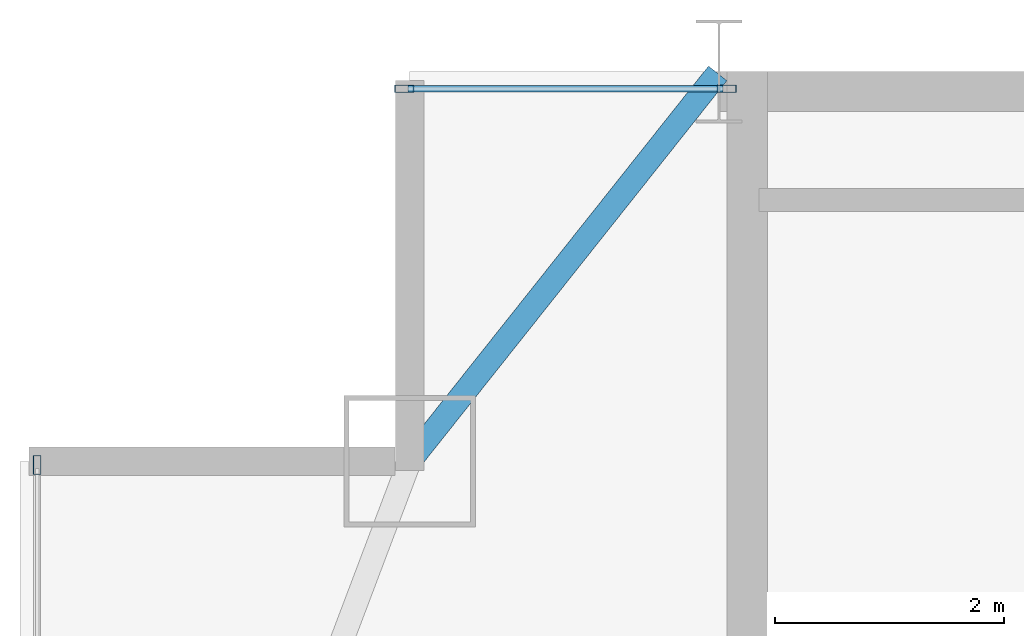
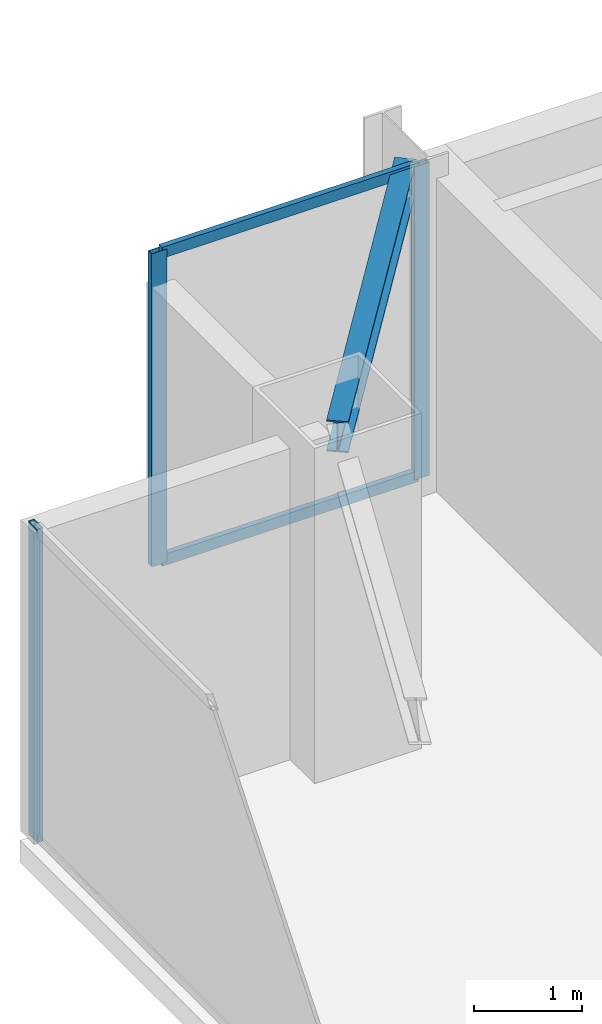
# One storey, part 17 of 26: 5 members, 1 beam, 2 elements without a shape of their own.
"""IFC4 building model written with IfcOpenShell, lengths in metres."""

from ifc_helpers import new_model, si_unit, direction, frame, origin, origin_2d, place, context, subcontext, project, spatial, hollow_rectangle, i_section, extrude, source, transform, mapped, material, layer, layer_set, material_profile, profile_set, type_object, type_shapes, element, aggregate, save


model = new_model("IFC4")

# Units and contexts
model_context = context("Model", 3, precision=1e-05, world=origin(), true_north=direction((0.0, 1.0)))
body_context = subcontext(model_context, "Body", "Model", "MODEL_VIEW")
ifc_project = project(units=[si_unit("LENGTHUNIT", "METRE"), si_unit("AREAUNIT", "SQUARE_METRE"), si_unit("VOLUMEUNIT", "CUBIC_METRE"), si_unit("PLANEANGLEUNIT", "RADIAN"), si_unit("MASSUNIT", "GRAM", prefix="KILO")], contexts=[model_context])

# Site, building, storey
site_placement = place(None, origin())
site = spatial("IfcSite", under=ifc_project, at=site_placement, CompositionType="ELEMENT")
building_placement = place(site_placement, origin())
building = spatial("IfcBuilding", under=site, at=building_placement, Name="Varnel Quay Broadcast Tower", CompositionType="ELEMENT")
storey_placement = place(building_placement, frame((0.0, 0.0, 218.800048828125)))
storey = spatial("IfcBuildingStorey", under=building, at=storey_placement, Name="L54", CompositionType="ELEMENT", Elevation=218.800048828125)

# Beam
ifc_material_1 = material(Name="Structural Steel CSA G40.21 350W", Category="steel")
ifc_material_profile_1 = material_profile(ifc_material_1, i_section(OverallWidth=0.205078125, OverallDepth=0.35400390625, WebThickness=0.009521484375, FlangeThickness=0.016845703125, FilletRadius=0.012939453125, at=origin_2d()), Name="W360X79")
ifc_profile_set_1 = profile_set([ifc_material_profile_1], Name="Structural Steel CSA G40.21 350W")
beam_type = type_object("IfcBeamType", Name="Beam_W360X79", PredefinedType="SPANDREL", material=ifc_profile_set_1)
shared_shape_1 = source(origin(), body_context, "Body", "SweptSolid", [
    extrude(i_section(OverallWidth=0.205078125, OverallDepth=0.35400390625, WebThickness=0.009521484375, FlangeThickness=0.016845703125, FilletRadius=0.012939453125, at=origin_2d()), origin(), (0.0, 0.0, 1.0), 4.301513671875),
])
type_shapes(beam_type, [shared_shape_1])
beam_placement = place(storey_placement, frame((12.912353515625, 43.415771484375, 3.373046875), z_axis=(0.621936399401, 0.783067758946, 0.0), x_axis=(-0.783067758946, 0.621936399401, 0.0)))
element("IfcBeam", 1, at=beam_placement, inside=storey, type_object=beam_type, Name="L54 NW Tie Spandrel", PredefinedType="SPANDREL", context=body_context, shape_type="MappedRepresentation", body=[
    mapped(shared_shape_1, transform((0.0, 0.0, 0.0), x_axis=(1.0, 0.0, 0.0), y_axis=(0.0, 1.0, 0.0), z_axis=(0.0, 0.0, 1.0), scale=1.0)),
])

# Curtain wall, member
ifc_material_2 = material(Name="Anodised Bronze Aluminium 6063-T6", Category="aluminium")
ifc_layer = layer(ifc_material_2, 0.18994140625, Name="Anodised Bronze Aluminium 6063-T6")
ifc_layer_set = layer_set([ifc_layer], Name="Anodised Bronze Aluminium 6063-T6")
curtain_wall_type = type_object("IfcCurtainWallType", Name="CW_UpperTower", PredefinedType="NOTDEFINED", material=ifc_layer_set)
curtain_wall_1_placement = place(storey_placement, origin())
curtain_wall_1 = element("IfcCurtainWall", 2, at=curtain_wall_1_placement, inside=storey, type_object=curtain_wall_type, Name="L54 West Unitised Curtain Wall", PredefinedType="NOTDEFINED")
ifc_material_profile_2 = material_profile(ifc_material_2, hollow_rectangle(XDim=0.06494140625, YDim=0.1650390625, WallThickness=0.00341796875, at=origin_2d()), Name="ALU65X165X3.5")
ifc_profile_set_2 = profile_set([ifc_material_profile_2], Name="Anodised Bronze Aluminium 6063-T6")
member_type_1 = type_object("IfcMemberType", Name="Mull_CWS-03", PredefinedType="MULLION", material=ifc_profile_set_2)
shared_shape_2 = source(origin(), body_context, "Body", "SweptSolid", [
    extrude(hollow_rectangle(XDim=0.06494140625, YDim=0.1650390625, WallThickness=0.00341796875, at=origin_2d()), origin(), (0.0, 0.0, 1.0), 3.550048828125),
])
type_shapes(member_type_1, [shared_shape_2])
member_1_placement = place(storey_placement, frame((9.64990234375, 43.367431640625, 0.0), z_axis=(0.0, 0.0, 1.0), x_axis=(-1.0, 0.0, 0.0)))
member_1 = element("IfcMember", 3, at=member_1_placement, type_object=member_type_1, Name="CWS-03 mullion 3", PredefinedType="MULLION", context=body_context, shape_type="MappedRepresentation", body=[
    mapped(shared_shape_2, transform((0.0, 0.0, 0.0), x_axis=(1.0, 0.0, 0.0), y_axis=(0.0, 1.0, 0.0), z_axis=(0.0, 0.0, 1.0), scale=1.0)),
])
aggregate(curtain_wall_1, [member_1])

# Curtain wall, members
curtain_wall_2_placement = place(storey_placement, origin())
curtain_wall_2 = element("IfcCurtainWall", 4, at=curtain_wall_2_placement, inside=storey, type_object=curtain_wall_type, Name="L54 NW Wing Curtain Wall", PredefinedType="NOTDEFINED")
member_2_placement = place(storey_placement, frame((12.8525390625, 46.64990234375, 0.0), z_axis=(0.0, 0.0, 1.0), x_axis=(0.0, 1.0, 0.0)))
member_2 = element("IfcMember", 5, at=member_2_placement, type_object=member_type_1, Name="CWS-03 mullion 1", PredefinedType="MULLION", context=body_context, shape_type="MappedRepresentation", body=[
    mapped(shared_shape_2, transform((0.0, 0.0, 0.0), x_axis=(1.0, 0.0, 0.0), y_axis=(0.0, 1.0, 0.0), z_axis=(0.0, 0.0, 1.0), scale=1.0)),
])
member_3_placement = place(storey_placement, frame((15.66748046875, 46.64990234375, 0.0), z_axis=(0.0, 0.0, 1.0), x_axis=(0.0, 1.0, 0.0)))
member_3 = element("IfcMember", 6, at=member_3_placement, type_object=member_type_1, Name="CWS-03 mullion 2", PredefinedType="MULLION", context=body_context, shape_type="MappedRepresentation", body=[
    mapped(shared_shape_2, transform((0.0, 0.0, 0.0), x_axis=(1.0, 0.0, 0.0), y_axis=(0.0, 1.0, 0.0), z_axis=(0.0, 0.0, 1.0), scale=1.0)),
])
ifc_material_profile_3 = material_profile(ifc_material_2, hollow_rectangle(XDim=0.06005859375, YDim=0.125, WallThickness=0.0029296875, at=origin_2d()), Name="ALU60X125X3")
ifc_profile_set_3 = profile_set([ifc_material_profile_3], Name="Anodised Bronze Aluminium 6063-T6")
member_type_2 = type_object("IfcMemberType", Name="Tran_CWS-03", PredefinedType="USERDEFINED", material=ifc_profile_set_3)
shared_shape_3 = source(origin(), body_context, "Body", "SweptSolid", [
    extrude(hollow_rectangle(XDim=0.06005859375, YDim=0.125, WallThickness=0.0029296875, at=origin_2d()), origin(), (0.0, 0.0, 1.0), 2.75),
])
type_shapes(member_type_2, [shared_shape_3])
member_4_placement = place(storey_placement, frame((12.885009765625, 46.64990234375, 0.030029296875), z_axis=(1.0, 0.0, 0.0), x_axis=(0.0, 1.0, 0.0)))
member_4 = element("IfcMember", 7, at=member_4_placement, type_object=member_type_2, Name="CWS-03 transom 1.1", ObjectType="TRANSOM", PredefinedType="USERDEFINED", context=body_context, shape_type="MappedRepresentation", body=[
    mapped(shared_shape_3, transform((0.0, 0.0, 0.0), x_axis=(1.0, 0.0, 0.0), y_axis=(0.0, 1.0, 0.0), z_axis=(0.0, 0.0, 1.0), scale=1.0)),
])
member_5_placement = place(storey_placement, frame((12.885009765625, 46.64990234375, 3.52001953125), z_axis=(1.0, 0.0, 0.0), x_axis=(0.0, 1.0, 0.0)))
member_5 = element("IfcMember", 8, at=member_5_placement, type_object=member_type_2, Name="CWS-03 transom 1.2", ObjectType="TRANSOM", PredefinedType="USERDEFINED", context=body_context, shape_type="MappedRepresentation", body=[
    mapped(shared_shape_3, transform((0.0, 0.0, 0.0), x_axis=(1.0, 0.0, 0.0), y_axis=(0.0, 1.0, 0.0), z_axis=(0.0, 0.0, 1.0), scale=1.0)),
])
aggregate(curtain_wall_2, [member_2, member_3, member_4, member_5])

save(model, "model.ifc")
